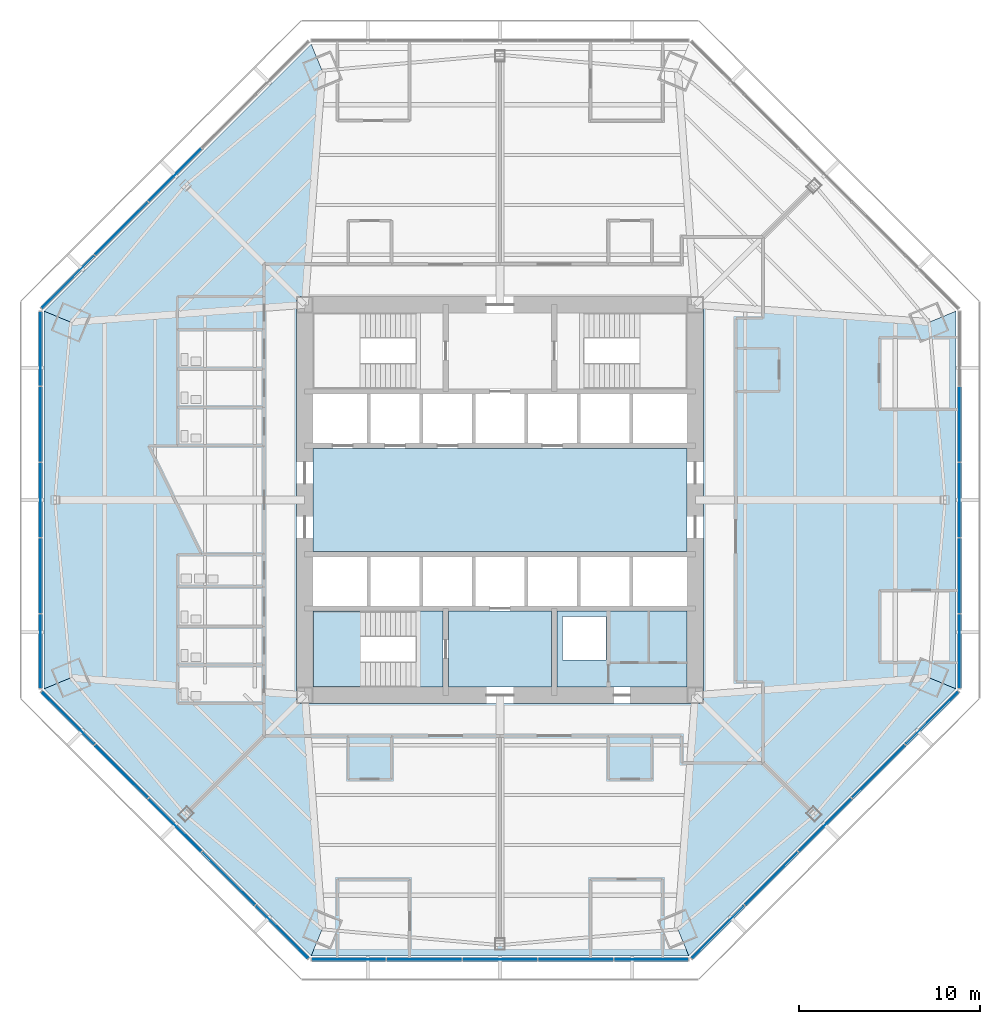
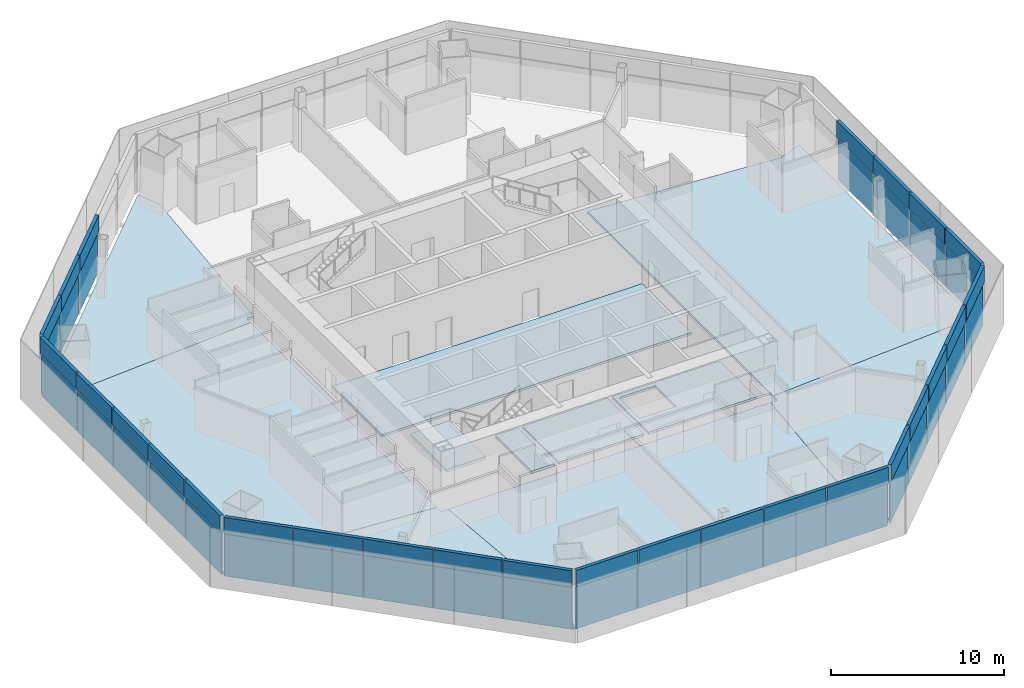
# One storey, part 8 of 17: 54 plates, 11 slabs, 7 elements without a shape of their own.
"""IFC4 building model written with IfcOpenShell, lengths in metres."""

import ifcopenshell
import ifcopenshell.guid

model = None  # the IFC model being written
_history = None  # IfcOwnerHistory: only IFC2X3 demands one
_inside = {}  # id of a spatial element -> (the spatial element, [elements in it])
_under = {}  # id of a project, library or spatial element -> (it, [spatial elements below it])
_declared = {}  # id of a project -> (the project, [libraries it declares])
_typed = {}  # id of a type object -> (the type object, [elements of that type])
_made_of = {}  # id of a material, layer set ... -> (it, [elements and type objects made of it])


def new_model(schema):
    """Start an empty IFC model of exactly this schema.

    Asked for "IFC4X3", IfcOpenShell would pick the latest addendum, in which some entities
    have other attributes; the version numbers below select the first issue.
    IFC2X3 requires an IfcOwnerHistory on every rooted entity: one is made here for all.
    """
    global model, _history
    if schema == "IFC4X3":
        model = ifcopenshell.file(schema_version=(4, 3, 0, 0))
    else:
        model = ifcopenshell.file(schema=schema)
    _inside.clear()
    _under.clear()
    _declared.clear()
    _typed.clear()
    _made_of.clear()
    _history = None
    if model.schema == "IFC2X3":
        org = make("IfcOrganization", Name="unknown")
        user = make(
            "IfcPersonAndOrganization",
            ThePerson=make("IfcPerson", FamilyName="unknown"),
            TheOrganization=org,
        )
        app = make(
            "IfcApplication",
            ApplicationDeveloper=org,
            Version="unknown",
            ApplicationFullName="unknown",
            ApplicationIdentifier="unknown",
        )
        _history = make(
            "IfcOwnerHistory",
            OwningUser=user,
            OwningApplication=app,
            ChangeAction="ADDED",
            CreationDate=0,
        )
    return model


def make(cls, **values):
    """One entity of the class cls with the attributes given. An attribute that is None is left unset."""
    return model.create_entity(
        cls, **{name: value for name, value in values.items() if value is not None}
    )


def rooted(cls, **values):
    """An entity with a GlobalId (a new one), such as an element, a storey or a relation."""
    return make(cls, GlobalId=ifcopenshell.guid.new(), OwnerHistory=_history, **values)


def si_unit(unit_type, name, prefix=None):
    """IfcSIUnit, for example si_unit("LENGTHUNIT", "METRE", prefix="MILLI")."""
    return make("IfcSIUnit", UnitType=unit_type, Prefix=prefix, Name=name)


def assignment(units):
    """IfcUnitAssignment: the units of a project."""
    return None if units is None else make("IfcUnitAssignment", Units=units)


def point(xyz):
    """IfcCartesianPoint."""
    return None if xyz is None else make("IfcCartesianPoint", Coordinates=xyz)


def direction(xyz):
    """IfcDirection."""
    return None if xyz is None else make("IfcDirection", DirectionRatios=xyz)


def frame(location, z_axis=None, x_axis=None):
    """IfcAxis2Placement3D, a coordinate frame: its origin and axes. An axis left out is left unset."""
    return make(
        "IfcAxis2Placement3D",
        Location=point(location),
        Axis=direction(z_axis),
        RefDirection=direction(x_axis),
    )


def frame_2d(location, x_axis=None):
    """IfcAxis2Placement2D, a coordinate frame in the plane: its origin and x axis."""
    return make(
        "IfcAxis2Placement2D", Location=point(location), RefDirection=direction(x_axis)
    )


def origin():
    """The frame at (0, 0, 0) with its axes left unset."""
    return frame((0.0, 0.0, 0.0))


def origin_2d():
    """The frame at (0, 0) in the plane with its x axis left unset."""
    return frame_2d((0.0, 0.0))


def place(relative_to, where):
    """IfcLocalPlacement: puts the frame where relative to a parent placement (None: the world)."""
    return make(
        "IfcLocalPlacement", PlacementRelTo=relative_to, RelativePlacement=where
    )


def context(
    kind, dimensions, precision=None, world=None, true_north=None, identifier=None
):
    """IfcGeometricRepresentationContext, for example the 3D "Model" context."""
    return make(
        "IfcGeometricRepresentationContext",
        ContextIdentifier=identifier,
        ContextType=kind,
        CoordinateSpaceDimension=dimensions,
        Precision=precision,
        WorldCoordinateSystem=world,
        TrueNorth=true_north,
    )


def subcontext(parent, identifier, kind, view, scale=None):
    """IfcGeometricRepresentationSubContext, for example "Body" below "Model"."""
    return make(
        "IfcGeometricRepresentationSubContext",
        ContextIdentifier=identifier,
        ContextType=kind,
        ParentContext=parent,
        TargetScale=scale,
        TargetView=view,
    )


def project(units=None, contexts=None):
    """IfcProject with its units and contexts."""
    return rooted(
        "IfcProject",
        Name="project",
        RepresentationContexts=contexts,
        UnitsInContext=assignment(units),
    )


def spatial(cls, under=None, at=None, **own):
    """A site, building, storey or space (cls), placed at a placement, below another one or the project."""
    s = rooted(cls, ObjectPlacement=at, **own)
    if under is not None:
        _under.setdefault(under.id(), (under, []))[1].append(s)
    return s


def polyline(points):
    """IfcPolyline through the points."""
    return make("IfcPolyline", Points=[point(p) for p in points])


def profile(cls, at=None, kind="AREA", **sizes):
    """A parametric profile (cls). Its sizes go by their IFC names, for example OverallWidth=200.0."""
    return make(cls, ProfileType=kind, Position=at, **sizes)


def rectangle(**sizes):
    """IfcRectangleProfileDef."""
    return profile("IfcRectangleProfileDef", **sizes)


def outline(outer, holes=None, kind="AREA"):
    """IfcArbitraryClosedProfileDef: a profile drawn as a closed curve; with holes, ...WithVoids."""
    if holes is None:
        return make("IfcArbitraryClosedProfileDef", ProfileType=kind, OuterCurve=outer)
    return make(
        "IfcArbitraryProfileDefWithVoids",
        ProfileType=kind,
        OuterCurve=outer,
        InnerCurves=holes,
    )


def extrude(swept, where, along, depth):
    """IfcExtrudedAreaSolid: the profile swept, set in the frame where, extruded along a direction by depth."""
    return make(
        "IfcExtrudedAreaSolid",
        SweptArea=swept,
        Position=where,
        ExtrudedDirection=direction(along),
        Depth=depth,
    )


def shape(context_of_items, identifier, shape_type, items):
    """IfcShapeRepresentation: the items that make up one representation, for example the "Body"."""
    return make(
        "IfcShapeRepresentation",
        ContextOfItems=context_of_items,
        RepresentationIdentifier=identifier,
        RepresentationType=shape_type,
        Items=items,
    )


def source(mapping_origin, context_of_items, identifier, shape_type, items):
    """IfcRepresentationMap: a shape defined once, which mapped items show again and again."""
    return make(
        "IfcRepresentationMap",
        MappingOrigin=mapping_origin,
        MappedRepresentation=shape(context_of_items, identifier, shape_type, items),
    )


def transform(
    local_origin,
    x_axis=None,
    y_axis=None,
    z_axis=None,
    scale=None,
    scale2=None,
    scale3=None,
    uniform=True,
):
    """IfcCartesianTransformationOperator3D, or its non-uniform kind. x_axis, y_axis, z_axis: its Axis1, 2, 3."""
    if uniform:
        return make(
            "IfcCartesianTransformationOperator3D",
            Axis1=direction(x_axis),
            Axis2=direction(y_axis),
            LocalOrigin=point(local_origin),
            Scale=scale,
            Axis3=direction(z_axis),
        )
    return make(
        "IfcCartesianTransformationOperator3DnonUniform",
        Axis1=direction(x_axis),
        Axis2=direction(y_axis),
        LocalOrigin=point(local_origin),
        Scale=scale,
        Axis3=direction(z_axis),
        Scale2=scale2,
        Scale3=scale3,
    )


def mapped(mapping_source, mapping_target):
    """IfcMappedItem: shows the shape of a source again, moved by a transform."""
    return make(
        "IfcMappedItem", MappingSource=mapping_source, MappingTarget=mapping_target
    )


def material(Name=None, Category=None):
    """IfcMaterial."""
    return make("IfcMaterial", Name=Name, Category=Category)


def layer(
    of_material, thickness, ventilated=None, Name=None, Category=None, Priority=None
):
    """IfcMaterialLayer: one layer of a wall or slab, of a material (None: an air gap)."""
    return make(
        "IfcMaterialLayer",
        Material=of_material,
        LayerThickness=thickness,
        IsVentilated=ventilated,
        Name=Name,
        Category=Category,
        Priority=Priority,
    )


def layer_set(layers, Name=None):
    """IfcMaterialLayerSet."""
    return make("IfcMaterialLayerSet", MaterialLayers=layers, LayerSetName=Name)


def made_of(thing, what):
    """Note that an element or type object is made of a material, layer set ...; save() writes the relation."""
    if what is not None:
        _made_of.setdefault(what.id(), (what, []))[1].append(thing)
    return thing


def type_object(cls, material=None, **own):
    """A type object (cls), such as IfcWallType, which elements share."""
    return made_of(rooted(cls, **own), material)


def type_shapes(of_type, sources):
    """Give a type object the sources (RepresentationMaps) that its elements show as mapped items."""
    of_type.RepresentationMaps = sources


def element(
    cls,
    number,
    at=None,
    inside=None,
    cuts=None,
    type_object=None,
    material=None,
    context=None,
    identifier="Body",
    shape_type=None,
    held_by="IfcProductDefinitionShape",
    body=None,
    shapes=None,
    **own,
):
    """One element of the class cls, such as IfcWall. Its Tag is "e" and its number.

    at: its placement. inside: the storey or other place that contains it. cuts: it is an
    opening in that element (IfcRelVoidsElement). A single representation is given by context,
    identifier, shape_type and body (its items); several are given by shapes. held_by: the class
    of the entity that holds the representations. save() writes the other relations.
    """
    e = rooted(cls, Tag="e%d" % number, ObjectPlacement=at, **own)
    if body is not None:
        shapes = [shape(context, identifier, shape_type, body)]
    if shapes is not None:
        e.Representation = make(held_by, Representations=shapes)
    if inside is not None:
        _inside.setdefault(inside.id(), (inside, []))[1].append(e)
    if cuts is not None:
        rooted(
            "IfcRelVoidsElement", RelatingBuildingElement=cuts, RelatedOpeningElement=e
        )
    if type_object is not None:
        _typed.setdefault(type_object.id(), (type_object, []))[1].append(e)
    return made_of(e, material)


def aggregate(whole, parts):
    """IfcRelAggregates: a whole, such as a stair, and the parts it consists of."""
    return rooted("IfcRelAggregates", RelatingObject=whole, RelatedObjects=parts)


def save(model, path):
    """Write the relations noted so far, then the file.

    IfcRelAggregates (storeys below a building ...), IfcRelContainedInSpatialStructure (elements
    in a storey), IfcRelDefinesByType, IfcRelAssociatesMaterial and IfcRelDeclares: one each for
    every whole, place, type object, material and project.
    """
    for whole, parts in _under.values():
        aggregate(whole, parts)
    for where, things in _inside.values():
        rooted(
            "IfcRelContainedInSpatialStructure",
            RelatedElements=things,
            RelatingStructure=where,
        )
    for kind, things in _typed.values():
        rooted("IfcRelDefinesByType", RelatedObjects=things, RelatingType=kind)
    for what, things in _made_of.values():
        rooted("IfcRelAssociatesMaterial", RelatedObjects=things, RelatingMaterial=what)
    for by, libraries in _declared.values():
        rooted("IfcRelDeclares", RelatingContext=by, RelatedDefinitions=libraries)
    model.write(path)


model = new_model("IFC4")

# Units and contexts
model_context = context("Model", 3, precision=1e-05, world=origin(), true_north=direction((0.0, 1.0)))
body_context = subcontext(model_context, "Body", "Model", "MODEL_VIEW")
ifc_project = project(units=[si_unit("LENGTHUNIT", "METRE"), si_unit("AREAUNIT", "SQUARE_METRE"), si_unit("VOLUMEUNIT", "CUBIC_METRE"), si_unit("PLANEANGLEUNIT", "RADIAN"), si_unit("MASSUNIT", "GRAM", prefix="KILO")], contexts=[model_context])

# Site, building, storey
site_placement = place(None, origin())
site = spatial("IfcSite", under=ifc_project, at=site_placement, CompositionType="ELEMENT")
building_placement = place(site_placement, origin())
building = spatial("IfcBuilding", under=site, at=building_placement, Name="Mashrafa Tower", CompositionType="ELEMENT")
storey_placement = place(building_placement, frame((0.0, 0.0, 91.800048828125)))
storey = spatial("IfcBuildingStorey", under=building, at=storey_placement, Name="L20", CompositionType="ELEMENT", Elevation=91.800048828125)

# Slabs
ifc_material_1 = material(Name="Concrete C35/45", Category="concrete")
ifc_layer_1 = layer(ifc_material_1, 0.1650390625)
ifc_layer_set_1 = layer_set([ifc_layer_1], Name="Floor slab 165")
slab_type_1 = type_object("IfcSlabType", Name="Floor slab 165", PredefinedType="FLOOR", material=ifc_layer_set_1)
slab_1_placement = place(storey_placement, frame((0.0, 0.0, -0.1650390625)))
element("IfcSlab", 1, at=slab_1_placement, inside=storey, type_object=slab_type_1, Name="Floor slab L20 east bay", PredefinedType="FLOOR", context=body_context, shape_type="SweptSolid", body=[
    extrude(outline(polyline([(25.2177734375, -10.445556640625), (23.744384765625, -9.835205078125), (11.25, -10.766357421875), (11.25, 10.766357421875), (23.744384765625, 9.835205078125), (25.2177734375, 10.445556640625), (25.2177734375, -10.445556640625)])), origin(), (0.0, 0.0, 1.0), 0.1650390625),
])
slab_2_placement = place(storey_placement, frame((0.0, 0.0, -0.1650390625)))
element("IfcSlab", 2, at=slab_2_placement, inside=storey, type_object=slab_type_1, Name="Floor slab L20 north-west bay", PredefinedType="FLOOR", context=body_context, shape_type="SweptSolid", body=[
    extrude(outline(polyline([(-25.2177734375, 10.445556640625), (-10.445556640625, 25.2177734375), (-10.445556640625, 25.2177734375), (-9.835205078125, 23.744384765625), (-10.766357421875, 11.25), (-11.25, 11.25), (-11.25, 10.766357421875), (-23.744384765625, 9.835205078125), (-25.2177734375, 10.445556640625), (-25.2177734375, 10.445556640625)])), origin(), (0.0, 0.0, 1.0), 0.1650390625),
])
slab_3_placement = place(storey_placement, frame((0.0, 0.0, -0.1650390625)))
element("IfcSlab", 3, at=slab_3_placement, inside=storey, type_object=slab_type_1, Name="Floor slab L20 west bay", PredefinedType="FLOOR", context=body_context, shape_type="SweptSolid", body=[
    extrude(outline(polyline([(-25.2177734375, 10.445556640625), (-23.744384765625, 9.835205078125), (-11.25, 10.766357421875), (-11.25, -10.766357421875), (-23.744384765625, -9.835205078125), (-25.2177734375, -10.445556640625), (-25.2177734375, 10.445556640625)])), origin(), (0.0, 0.0, 1.0), 0.1650390625),
])
slab_4_placement = place(storey_placement, frame((0.0, 0.0, -0.1650390625)))
element("IfcSlab", 4, at=slab_4_placement, inside=storey, type_object=slab_type_1, Name="Floor slab L20 south-west bay", PredefinedType="FLOOR", context=body_context, shape_type="SweptSolid", body=[
    extrude(outline(polyline([(-10.445556640625, -25.2177734375), (-25.2177734375, -10.445556640625), (-25.2177734375, -10.445556640625), (-23.744384765625, -9.835205078125), (-11.25, -10.766357421875), (-11.25, -11.25), (-10.766357421875, -11.25), (-9.835205078125, -23.744384765625), (-10.445556640625, -25.2177734375), (-10.445556640625, -25.2177734375)])), origin(), (0.0, 0.0, 1.0), 0.1650390625),
])
slab_5_placement = place(storey_placement, frame((0.0, 0.0, -0.1650390625)))
element("IfcSlab", 5, at=slab_5_placement, inside=storey, type_object=slab_type_1, Name="Floor slab L20 south bay", PredefinedType="FLOOR", context=body_context, shape_type="SweptSolid", body=[
    extrude(outline(polyline([(-10.445556640625, -25.2177734375), (-9.835205078125, -23.744384765625), (-10.766357421875, -11.25), (10.766357421875, -11.25), (9.835205078125, -23.744384765625), (10.445556640625, -25.2177734375), (-10.445556640625, -25.2177734375)])), origin(), (0.0, 0.0, 1.0), 0.1650390625),
])
slab_6_placement = place(storey_placement, frame((0.0, 0.0, -0.1650390625)))
element("IfcSlab", 6, at=slab_6_placement, inside=storey, type_object=slab_type_1, Name="Floor slab L20 south-east bay", PredefinedType="FLOOR", context=body_context, shape_type="SweptSolid", body=[
    extrude(outline(polyline([(10.445556640625, -25.2177734375), (9.835205078125, -23.744384765625), (10.766357421875, -11.25), (11.25, -11.25), (11.25, -10.766357421875), (23.744384765625, -9.835205078125), (25.2177734375, -10.445556640625), (25.2177734375, -10.445556640625), (10.445556640625, -25.2177734375), (10.445556640625, -25.2177734375)])), origin(), (0.0, 0.0, 1.0), 0.1650390625),
])
slab_7_placement = place(storey_placement, frame((0.0, 0.0, -0.1650390625)))
element("IfcSlab", 7, at=slab_7_placement, inside=storey, type_object=slab_type_1, Name="Core floor lift hall L20", PredefinedType="FLOOR", context=body_context, shape_type="SweptSolid", body=[
    extrude(outline(polyline([(-10.35009765625, 2.85009765625), (10.35009765625, 2.85009765625), (10.35009765625, -2.85009765625), (-10.35009765625, -2.85009765625), (-10.35009765625, 2.85009765625)])), origin(), (0.0, 0.0, 1.0), 0.1650390625),
])
slab_8_placement = place(storey_placement, frame((0.0, 0.0, -0.1650390625)))
element("IfcSlab", 8, at=slab_8_placement, inside=storey, type_object=slab_type_1, Name="Core floor riser and electrical band L20", PredefinedType="FLOOR", context=body_context, shape_type="SweptSolid", body=[
    extrude(outline(polyline([(10.35009765625, -6.14990234375), (10.35009765625, -10.35009765625), (3.14990234375, -10.35009765625), (3.14990234375, -6.14990234375), (10.35009765625, -6.14990234375)]), holes=[polyline([(3.449951171875, -8.85009765625), (5.85009765625, -8.85009765625), (5.85009765625, -6.449951171875), (3.449951171875, -6.449951171875), (3.449951171875, -8.85009765625)])]), origin(), (0.0, 0.0, 1.0), 0.1650390625),
])
slab_9_placement = place(storey_placement, frame((0.0, 0.0, -0.1650390625)))
element("IfcSlab", 9, at=slab_9_placement, inside=storey, type_object=slab_type_1, Name="Core floor fire-fighting lobby south L20", PredefinedType="FLOOR", context=body_context, shape_type="SweptSolid", body=[
    extrude(outline(polyline([(2.85009765625, -6.14990234375), (2.85009765625, -10.35009765625), (-2.85009765625, -10.35009765625), (-2.85009765625, -6.14990234375), (2.85009765625, -6.14990234375)])), origin(), (0.0, 0.0, 1.0), 0.1650390625),
])

# Stair, slabs
ifc_material_2 = material(Name="Exit stair 1400")
stair_type = type_object("IfcStairType", Name="Exit stair 1400", PredefinedType="HALF_TURN_STAIR", material=ifc_material_2)
stair_placement = place(storey_placement, origin())
stair = element("IfcStair", 10, at=stair_placement, inside=storey, type_object=stair_type, Name="Stair S3 L20", PredefinedType="HALF_TURN_STAIR")
ifc_material_3 = material(Name="Concrete C32/40", Category="concrete")
ifc_layer_2 = layer(ifc_material_3, 0.199951171875)
ifc_layer_set_2 = layer_set([ifc_layer_2], Name="Stair landing 200")
slab_type_2 = type_object("IfcSlabType", Name="Stair landing 200", PredefinedType="LANDING", material=ifc_layer_set_2)
slab_10_placement = place(storey_placement, frame((0.0, 0.0, -0.199951171875)))
slab_10 = element("IfcSlab", 11, at=slab_10_placement, type_object=slab_type_2, Name="S3 landing 1", PredefinedType="LANDING", context=body_context, shape_type="SweptSolid", body=[
    extrude(outline(polyline([(-4.659912109375, -10.35009765625), (-3.14990234375, -10.35009765625), (-3.14990234375, -6.14990234375), (-4.659912109375, -6.14990234375), (-4.659912109375, -10.35009765625)])), origin(), (0.0, 0.0, 1.0), 0.199951171875),
])
slab_11_placement = place(storey_placement, frame((0.0, 0.0, 1.89990234375)))
slab_11 = element("IfcSlab", 12, at=slab_11_placement, type_object=slab_type_2, Name="S3 landing 2", PredefinedType="LANDING", context=body_context, shape_type="SweptSolid", body=[
    extrude(outline(polyline([(-10.35009765625, -10.35009765625), (-7.719970703125, -10.35009765625), (-7.719970703125, -6.14990234375), (-10.35009765625, -6.14990234375), (-10.35009765625, -10.35009765625)])), origin(), (0.0, 0.0, 1.0), 0.199951171875),
])
aggregate(stair, [slab_10, slab_11])

# Curtain wall, plate
ifc_material_4 = material(Name="Unitised aluminium curtain wall", Category="aluminium")
curtain_wall_type = type_object("IfcCurtainWallType", Name="Office curtain wall, zone 1 CW-A 200 deep", PredefinedType="NOTDEFINED", material=ifc_material_4)
curtain_wall_1_placement = place(storey_placement, origin())
curtain_wall_1 = element("IfcCurtainWall", 13, at=curtain_wall_1_placement, inside=storey, type_object=curtain_wall_type, Name="Office curtain wall, zone 1 L20 east", PredefinedType="NOTDEFINED")
ifc_material_5 = material(Name="Insulated double glazing, low-e, neutral", Category="glass")
ifc_layer_3 = layer(ifc_material_5, 0.028076171875)
ifc_layer_set_3 = layer_set([ifc_layer_3], Name="Vision panel CW-A 28")
plate_type_1 = type_object("IfcPlateType", Name="Vision panel CW-A 28", PredefinedType="CURTAIN_PANEL", material=ifc_layer_set_3)
shared_shape_1 = source(origin(), body_context, "Body", "SweptSolid", [
    extrude(rectangle(XDim=4.09326171875, YDim=0.028076171875, at=origin_2d()), origin(), (0.0, 0.0, 1.0), 2.9599609375),
])
plate_1_placement = place(storey_placement, frame((25.417724609375, -8.365234375, 0.0), z_axis=(0.0, 0.0, 1.0), x_axis=(0.0, 1.0, 0.0)))
plate_1 = element("IfcPlate", 14, at=plate_1_placement, type_object=plate_type_1, Name="CW-A vision panel 1", PredefinedType="CURTAIN_PANEL", context=body_context, shape_type="MappedRepresentation", body=[
    mapped(shared_shape_1, transform((0.0, 0.0, 0.0))),
])

curtain_wall_2_placement = place(storey_placement, origin())
curtain_wall_2 = element("IfcCurtainWall", 15, at=curtain_wall_2_placement, inside=storey, type_object=curtain_wall_type, Name="Office curtain wall, zone 1 L20 north-west", PredefinedType="NOTDEFINED")
plate_2_placement = place(storey_placement, frame((-23.88818359375, 12.057861328125, 0.0), z_axis=(0.0, 0.0, 1.0), x_axis=(-0.707106781187, -0.707106781187, 0.0)))
plate_2 = element("IfcPlate", 16, at=plate_2_placement, type_object=plate_type_1, Name="CW-A vision panel 5", PredefinedType="CURTAIN_PANEL", context=body_context, shape_type="MappedRepresentation", body=[
    mapped(shared_shape_1, transform((0.0, 0.0, 0.0))),
])

# Curtain wall, plates
curtain_wall_3_placement = place(storey_placement, origin())
curtain_wall_3 = element("IfcCurtainWall", 17, at=curtain_wall_3_placement, inside=storey, type_object=curtain_wall_type, Name="Office curtain wall, zone 1 L20 west", PredefinedType="NOTDEFINED")
plate_3_placement = place(storey_placement, frame((-25.417724609375, 8.365234375, 0.0), z_axis=(0.0, 0.0, 1.0), x_axis=(0.0, -1.0, 0.0)))
plate_3 = element("IfcPlate", 18, at=plate_3_placement, type_object=plate_type_1, Name="CW-A vision panel 1", PredefinedType="CURTAIN_PANEL", context=body_context, shape_type="MappedRepresentation", body=[
    mapped(shared_shape_1, transform((0.0, 0.0, 0.0))),
])
plate_4_placement = place(storey_placement, frame((-25.417724609375, -8.365234375, 0.0), z_axis=(0.0, 0.0, 1.0), x_axis=(0.0, -1.0, 0.0)))
plate_4 = element("IfcPlate", 19, at=plate_4_placement, type_object=plate_type_1, Name="CW-A vision panel 5", PredefinedType="CURTAIN_PANEL", context=body_context, shape_type="MappedRepresentation", body=[
    mapped(shared_shape_1, transform((0.0, 0.0, 0.0))),
])

curtain_wall_4_placement = place(storey_placement, origin())
curtain_wall_4 = element("IfcCurtainWall", 20, at=curtain_wall_4_placement, inside=storey, type_object=curtain_wall_type, Name="Office curtain wall, zone 1 L20 south-west", PredefinedType="NOTDEFINED")
plate_5_placement = place(storey_placement, frame((-23.88818359375, -12.057861328125, 0.0), z_axis=(0.0, 0.0, 1.0), x_axis=(0.707106781187, -0.707106781187, 0.0)))
plate_5 = element("IfcPlate", 21, at=plate_5_placement, type_object=plate_type_1, Name="CW-A vision panel 1", PredefinedType="CURTAIN_PANEL", context=body_context, shape_type="MappedRepresentation", body=[
    mapped(shared_shape_1, transform((0.0, 0.0, 0.0))),
])
plate_6_placement = place(storey_placement, frame((-12.057861328125, -23.88818359375, 0.0), z_axis=(0.0, 0.0, 1.0), x_axis=(0.707106781187, -0.707106781187, 0.0)))
plate_6 = element("IfcPlate", 22, at=plate_6_placement, type_object=plate_type_1, Name="CW-A vision panel 5", PredefinedType="CURTAIN_PANEL", context=body_context, shape_type="MappedRepresentation", body=[
    mapped(shared_shape_1, transform((0.0, 0.0, 0.0))),
])

curtain_wall_5_placement = place(storey_placement, origin())
curtain_wall_5 = element("IfcCurtainWall", 23, at=curtain_wall_5_placement, inside=storey, type_object=curtain_wall_type, Name="Office curtain wall, zone 1 L20 south", PredefinedType="NOTDEFINED")
plate_7_placement = place(storey_placement, frame((-8.365234375, -25.417724609375, 0.0), z_axis=(0.0, 0.0, 1.0), x_axis=(1.0, 0.0, 0.0)))
plate_7 = element("IfcPlate", 24, at=plate_7_placement, type_object=plate_type_1, Name="CW-A vision panel 1", PredefinedType="CURTAIN_PANEL", context=body_context, shape_type="MappedRepresentation", body=[
    mapped(shared_shape_1, transform((0.0, 0.0, 0.0))),
])
plate_8_placement = place(storey_placement, frame((8.365234375, -25.417724609375, 0.0), z_axis=(0.0, 0.0, 1.0), x_axis=(1.0, 0.0, 0.0)))
plate_8 = element("IfcPlate", 25, at=plate_8_placement, type_object=plate_type_1, Name="CW-A vision panel 5", PredefinedType="CURTAIN_PANEL", context=body_context, shape_type="MappedRepresentation", body=[
    mapped(shared_shape_1, transform((0.0, 0.0, 0.0))),
])

curtain_wall_6_placement = place(storey_placement, origin())
curtain_wall_6 = element("IfcCurtainWall", 26, at=curtain_wall_6_placement, inside=storey, type_object=curtain_wall_type, Name="Office curtain wall, zone 1 L20 south-east", PredefinedType="NOTDEFINED")
plate_9_placement = place(storey_placement, frame((12.057861328125, -23.88818359375, 0.0), z_axis=(0.0, 0.0, 1.0), x_axis=(0.707106781187, 0.707106781187, 0.0)))
plate_9 = element("IfcPlate", 27, at=plate_9_placement, type_object=plate_type_1, Name="CW-A vision panel 1", PredefinedType="CURTAIN_PANEL", context=body_context, shape_type="MappedRepresentation", body=[
    mapped(shared_shape_1, transform((0.0, 0.0, 0.0))),
])
plate_10_placement = place(storey_placement, frame((23.88818359375, -12.057861328125, 0.0), z_axis=(0.0, 0.0, 1.0), x_axis=(0.707106781187, 0.707106781187, 0.0)))
plate_10 = element("IfcPlate", 28, at=plate_10_placement, type_object=plate_type_1, Name="CW-A vision panel 5", PredefinedType="CURTAIN_PANEL", context=body_context, shape_type="MappedRepresentation", body=[
    mapped(shared_shape_1, transform((0.0, 0.0, 0.0))),
])

# Plate
ifc_material_6 = material(Name="Insulated aluminium spandrel panel", Category="aluminium")
ifc_layer_4 = layer(ifc_material_6, 0.219970703125)
ifc_layer_set_4 = layer_set([ifc_layer_4], Name="Spandrel panel CW-A 220")
plate_type_2 = type_object("IfcPlateType", Name="Spandrel panel CW-A 220", PredefinedType="CURTAIN_PANEL", material=ifc_layer_set_4)
shared_shape_2 = source(origin(), body_context, "Body", "SweptSolid", [
    extrude(rectangle(XDim=4.09326171875, YDim=0.219970703125, at=origin_2d()), origin(), (0.0, 0.0, 1.0), 1.159912109375),
])
plate_11_placement = place(storey_placement, frame((25.417724609375, -8.365234375, 3.0400390625), z_axis=(0.0, 0.0, 1.0), x_axis=(0.0, 1.0, 0.0)))
plate_11 = element("IfcPlate", 29, at=plate_11_placement, type_object=plate_type_2, Name="CW-A spandrel panel 1", PredefinedType="CURTAIN_PANEL", context=body_context, shape_type="MappedRepresentation", body=[
    mapped(shared_shape_2, transform((0.0, 0.0, 0.0))),
])

plate_12_placement = place(storey_placement, frame((-23.88818359375, 12.057861328125, 3.0400390625), z_axis=(0.0, 0.0, 1.0), x_axis=(-0.707106781187, -0.707106781187, 0.0)))
plate_12 = element("IfcPlate", 30, at=plate_12_placement, type_object=plate_type_2, Name="CW-A spandrel panel 5", PredefinedType="CURTAIN_PANEL", context=body_context, shape_type="MappedRepresentation", body=[
    mapped(shared_shape_2, transform((0.0, 0.0, 0.0))),
])

plate_13_placement = place(storey_placement, frame((-25.417724609375, 8.365234375, 3.0400390625), z_axis=(0.0, 0.0, 1.0), x_axis=(0.0, -1.0, 0.0)))
plate_13 = element("IfcPlate", 31, at=plate_13_placement, type_object=plate_type_2, Name="CW-A spandrel panel 1", PredefinedType="CURTAIN_PANEL", context=body_context, shape_type="MappedRepresentation", body=[
    mapped(shared_shape_2, transform((0.0, 0.0, 0.0))),
])

plate_14_placement = place(storey_placement, frame((-25.417724609375, -8.365234375, 3.0400390625), z_axis=(0.0, 0.0, 1.0), x_axis=(0.0, -1.0, 0.0)))
plate_14 = element("IfcPlate", 32, at=plate_14_placement, type_object=plate_type_2, Name="CW-A spandrel panel 5", PredefinedType="CURTAIN_PANEL", context=body_context, shape_type="MappedRepresentation", body=[
    mapped(shared_shape_2, transform((0.0, 0.0, 0.0))),
])

plate_15_placement = place(storey_placement, frame((-23.88818359375, -12.057861328125, 3.0400390625), z_axis=(0.0, 0.0, 1.0), x_axis=(0.707106781187, -0.707106781187, 0.0)))
plate_15 = element("IfcPlate", 33, at=plate_15_placement, type_object=plate_type_2, Name="CW-A spandrel panel 1", PredefinedType="CURTAIN_PANEL", context=body_context, shape_type="MappedRepresentation", body=[
    mapped(shared_shape_2, transform((0.0, 0.0, 0.0))),
])

plate_16_placement = place(storey_placement, frame((-12.057861328125, -23.88818359375, 3.0400390625), z_axis=(0.0, 0.0, 1.0), x_axis=(0.707106781187, -0.707106781187, 0.0)))
plate_16 = element("IfcPlate", 34, at=plate_16_placement, type_object=plate_type_2, Name="CW-A spandrel panel 5", PredefinedType="CURTAIN_PANEL", context=body_context, shape_type="MappedRepresentation", body=[
    mapped(shared_shape_2, transform((0.0, 0.0, 0.0))),
])

plate_17_placement = place(storey_placement, frame((-8.365234375, -25.417724609375, 3.0400390625), z_axis=(0.0, 0.0, 1.0), x_axis=(1.0, 0.0, 0.0)))
plate_17 = element("IfcPlate", 35, at=plate_17_placement, type_object=plate_type_2, Name="CW-A spandrel panel 1", PredefinedType="CURTAIN_PANEL", context=body_context, shape_type="MappedRepresentation", body=[
    mapped(shared_shape_2, transform((0.0, 0.0, 0.0))),
])

plate_18_placement = place(storey_placement, frame((8.365234375, -25.417724609375, 3.0400390625), z_axis=(0.0, 0.0, 1.0), x_axis=(1.0, 0.0, 0.0)))
plate_18 = element("IfcPlate", 36, at=plate_18_placement, type_object=plate_type_2, Name="CW-A spandrel panel 5", PredefinedType="CURTAIN_PANEL", context=body_context, shape_type="MappedRepresentation", body=[
    mapped(shared_shape_2, transform((0.0, 0.0, 0.0))),
])

plate_19_placement = place(storey_placement, frame((12.057861328125, -23.88818359375, 3.0400390625), z_axis=(0.0, 0.0, 1.0), x_axis=(0.707106781187, 0.707106781187, 0.0)))
plate_19 = element("IfcPlate", 37, at=plate_19_placement, type_object=plate_type_2, Name="CW-A spandrel panel 1", PredefinedType="CURTAIN_PANEL", context=body_context, shape_type="MappedRepresentation", body=[
    mapped(shared_shape_2, transform((0.0, 0.0, 0.0))),
])

plate_20_placement = place(storey_placement, frame((23.88818359375, -12.057861328125, 3.0400390625), z_axis=(0.0, 0.0, 1.0), x_axis=(0.707106781187, 0.707106781187, 0.0)))
plate_20 = element("IfcPlate", 38, at=plate_20_placement, type_object=plate_type_2, Name="CW-A spandrel panel 5", PredefinedType="CURTAIN_PANEL", context=body_context, shape_type="MappedRepresentation", body=[
    mapped(shared_shape_2, transform((0.0, 0.0, 0.0))),
])

shared_shape_3 = source(origin(), body_context, "Body", "SweptSolid", [
    extrude(rectangle(XDim=4.125732421875, YDim=0.028076171875, at=origin_2d()), origin(), (0.0, 0.0, 1.0), 2.9599609375),
])
type_shapes(plate_type_1, [shared_shape_1, shared_shape_3])
plate_21_placement = place(storey_placement, frame((25.417724609375, -4.190673828125, 0.0), z_axis=(0.0, 0.0, 1.0), x_axis=(0.0, 1.0, 0.0)))
plate_21 = element("IfcPlate", 39, at=plate_21_placement, type_object=plate_type_1, Name="CW-A vision panel 2", PredefinedType="CURTAIN_PANEL", context=body_context, shape_type="MappedRepresentation", body=[
    mapped(shared_shape_3, transform((0.0, 0.0, 0.0))),
])

plate_22_placement = place(storey_placement, frame((25.417724609375, 0.0, 0.0), z_axis=(0.0, 0.0, 1.0), x_axis=(0.0, 1.0, 0.0)))
plate_22 = element("IfcPlate", 40, at=plate_22_placement, type_object=plate_type_1, Name="CW-A vision panel 3", PredefinedType="CURTAIN_PANEL", context=body_context, shape_type="MappedRepresentation", body=[
    mapped(shared_shape_3, transform((0.0, 0.0, 0.0))),
])

plate_23_placement = place(storey_placement, frame((25.417724609375, 4.190673828125, 0.0), z_axis=(0.0, 0.0, 1.0), x_axis=(0.0, 1.0, 0.0)))
plate_23 = element("IfcPlate", 41, at=plate_23_placement, type_object=plate_type_1, Name="CW-A vision panel 4", PredefinedType="CURTAIN_PANEL", context=body_context, shape_type="MappedRepresentation", body=[
    mapped(shared_shape_3, transform((0.0, 0.0, 0.0))),
])

plate_24_placement = place(storey_placement, frame((-17.97314453125, 17.97314453125, 0.0), z_axis=(0.0, 0.0, 1.0), x_axis=(-0.707106781187, -0.707106781187, 0.0)))
plate_24 = element("IfcPlate", 42, at=plate_24_placement, type_object=plate_type_1, Name="CW-A vision panel 3", PredefinedType="CURTAIN_PANEL", context=body_context, shape_type="MappedRepresentation", body=[
    mapped(shared_shape_3, transform((0.0, 0.0, 0.0))),
])

plate_25_placement = place(storey_placement, frame((-20.9365234375, 15.009765625, 0.0), z_axis=(0.0, 0.0, 1.0), x_axis=(-0.707106781187, -0.707106781187, 0.0)))
plate_25 = element("IfcPlate", 43, at=plate_25_placement, type_object=plate_type_1, Name="CW-A vision panel 4", PredefinedType="CURTAIN_PANEL", context=body_context, shape_type="MappedRepresentation", body=[
    mapped(shared_shape_3, transform((0.0, 0.0, 0.0))),
])

plate_26_placement = place(storey_placement, frame((-25.417724609375, 4.190673828125, 0.0), z_axis=(0.0, 0.0, 1.0), x_axis=(0.0, -1.0, 0.0)))
plate_26 = element("IfcPlate", 44, at=plate_26_placement, type_object=plate_type_1, Name="CW-A vision panel 2", PredefinedType="CURTAIN_PANEL", context=body_context, shape_type="MappedRepresentation", body=[
    mapped(shared_shape_3, transform((0.0, 0.0, 0.0))),
])

plate_27_placement = place(storey_placement, frame((-25.417724609375, 0.0, 0.0), z_axis=(0.0, 0.0, 1.0), x_axis=(0.0, -1.0, 0.0)))
plate_27 = element("IfcPlate", 45, at=plate_27_placement, type_object=plate_type_1, Name="CW-A vision panel 3", PredefinedType="CURTAIN_PANEL", context=body_context, shape_type="MappedRepresentation", body=[
    mapped(shared_shape_3, transform((0.0, 0.0, 0.0))),
])

plate_28_placement = place(storey_placement, frame((-25.417724609375, -4.190673828125, 0.0), z_axis=(0.0, 0.0, 1.0), x_axis=(0.0, -1.0, 0.0)))
plate_28 = element("IfcPlate", 46, at=plate_28_placement, type_object=plate_type_1, Name="CW-A vision panel 4", PredefinedType="CURTAIN_PANEL", context=body_context, shape_type="MappedRepresentation", body=[
    mapped(shared_shape_3, transform((0.0, 0.0, 0.0))),
])

plate_29_placement = place(storey_placement, frame((-20.9365234375, -15.009765625, 0.0), z_axis=(0.0, 0.0, 1.0), x_axis=(0.707106781187, -0.707106781187, 0.0)))
plate_29 = element("IfcPlate", 47, at=plate_29_placement, type_object=plate_type_1, Name="CW-A vision panel 2", PredefinedType="CURTAIN_PANEL", context=body_context, shape_type="MappedRepresentation", body=[
    mapped(shared_shape_3, transform((0.0, 0.0, 0.0))),
])

plate_30_placement = place(storey_placement, frame((-17.97314453125, -17.97314453125, 0.0), z_axis=(0.0, 0.0, 1.0), x_axis=(0.707106781187, -0.707106781187, 0.0)))
plate_30 = element("IfcPlate", 48, at=plate_30_placement, type_object=plate_type_1, Name="CW-A vision panel 3", PredefinedType="CURTAIN_PANEL", context=body_context, shape_type="MappedRepresentation", body=[
    mapped(shared_shape_3, transform((0.0, 0.0, 0.0))),
])

plate_31_placement = place(storey_placement, frame((-15.009765625, -20.9365234375, 0.0), z_axis=(0.0, 0.0, 1.0), x_axis=(0.707106781187, -0.707106781187, 0.0)))
plate_31 = element("IfcPlate", 49, at=plate_31_placement, type_object=plate_type_1, Name="CW-A vision panel 4", PredefinedType="CURTAIN_PANEL", context=body_context, shape_type="MappedRepresentation", body=[
    mapped(shared_shape_3, transform((0.0, 0.0, 0.0))),
])

plate_32_placement = place(storey_placement, frame((-4.190673828125, -25.417724609375, 0.0), z_axis=(0.0, 0.0, 1.0), x_axis=(1.0, 0.0, 0.0)))
plate_32 = element("IfcPlate", 50, at=plate_32_placement, type_object=plate_type_1, Name="CW-A vision panel 2", PredefinedType="CURTAIN_PANEL", context=body_context, shape_type="MappedRepresentation", body=[
    mapped(shared_shape_3, transform((0.0, 0.0, 0.0))),
])

plate_33_placement = place(storey_placement, frame((0.0, -25.417724609375, 0.0), z_axis=(0.0, 0.0, 1.0), x_axis=(1.0, 0.0, 0.0)))
plate_33 = element("IfcPlate", 51, at=plate_33_placement, type_object=plate_type_1, Name="CW-A vision panel 3", PredefinedType="CURTAIN_PANEL", context=body_context, shape_type="MappedRepresentation", body=[
    mapped(shared_shape_3, transform((0.0, 0.0, 0.0))),
])

plate_34_placement = place(storey_placement, frame((4.190673828125, -25.417724609375, 0.0), z_axis=(0.0, 0.0, 1.0), x_axis=(1.0, 0.0, 0.0)))
plate_34 = element("IfcPlate", 52, at=plate_34_placement, type_object=plate_type_1, Name="CW-A vision panel 4", PredefinedType="CURTAIN_PANEL", context=body_context, shape_type="MappedRepresentation", body=[
    mapped(shared_shape_3, transform((0.0, 0.0, 0.0))),
])

plate_35_placement = place(storey_placement, frame((15.009765625, -20.9365234375, 0.0), z_axis=(0.0, 0.0, 1.0), x_axis=(0.707106781187, 0.707106781187, 0.0)))
plate_35 = element("IfcPlate", 53, at=plate_35_placement, type_object=plate_type_1, Name="CW-A vision panel 2", PredefinedType="CURTAIN_PANEL", context=body_context, shape_type="MappedRepresentation", body=[
    mapped(shared_shape_3, transform((0.0, 0.0, 0.0))),
])

plate_36_placement = place(storey_placement, frame((17.97314453125, -17.97314453125, 0.0), z_axis=(0.0, 0.0, 1.0), x_axis=(0.707106781187, 0.707106781187, 0.0)))
plate_36 = element("IfcPlate", 54, at=plate_36_placement, type_object=plate_type_1, Name="CW-A vision panel 3", PredefinedType="CURTAIN_PANEL", context=body_context, shape_type="MappedRepresentation", body=[
    mapped(shared_shape_3, transform((0.0, 0.0, 0.0))),
])

plate_37_placement = place(storey_placement, frame((20.9365234375, -15.009765625, 0.0), z_axis=(0.0, 0.0, 1.0), x_axis=(0.707106781187, 0.707106781187, 0.0)))
plate_37 = element("IfcPlate", 55, at=plate_37_placement, type_object=plate_type_1, Name="CW-A vision panel 4", PredefinedType="CURTAIN_PANEL", context=body_context, shape_type="MappedRepresentation", body=[
    mapped(shared_shape_3, transform((0.0, 0.0, 0.0))),
])

shared_shape_4 = source(origin(), body_context, "Body", "SweptSolid", [
    extrude(rectangle(XDim=4.125732421875, YDim=0.219970703125, at=origin_2d()), origin(), (0.0, 0.0, 1.0), 1.159912109375),
])
type_shapes(plate_type_2, [shared_shape_2, shared_shape_4])
plate_38_placement = place(storey_placement, frame((25.417724609375, -4.190673828125, 3.0400390625), z_axis=(0.0, 0.0, 1.0), x_axis=(0.0, 1.0, 0.0)))
plate_38 = element("IfcPlate", 56, at=plate_38_placement, type_object=plate_type_2, Name="CW-A spandrel panel 2", PredefinedType="CURTAIN_PANEL", context=body_context, shape_type="MappedRepresentation", body=[
    mapped(shared_shape_4, transform((0.0, 0.0, 0.0))),
])

plate_39_placement = place(storey_placement, frame((25.417724609375, 0.0, 3.0400390625), z_axis=(0.0, 0.0, 1.0), x_axis=(0.0, 1.0, 0.0)))
plate_39 = element("IfcPlate", 57, at=plate_39_placement, type_object=plate_type_2, Name="CW-A spandrel panel 3", PredefinedType="CURTAIN_PANEL", context=body_context, shape_type="MappedRepresentation", body=[
    mapped(shared_shape_4, transform((0.0, 0.0, 0.0))),
])

plate_40_placement = place(storey_placement, frame((25.417724609375, 4.190673828125, 3.0400390625), z_axis=(0.0, 0.0, 1.0), x_axis=(0.0, 1.0, 0.0)))
plate_40 = element("IfcPlate", 58, at=plate_40_placement, type_object=plate_type_2, Name="CW-A spandrel panel 4", PredefinedType="CURTAIN_PANEL", context=body_context, shape_type="MappedRepresentation", body=[
    mapped(shared_shape_4, transform((0.0, 0.0, 0.0))),
])

aggregate(curtain_wall_1, [plate_1, plate_11, plate_21, plate_38, plate_22, plate_39, plate_23, plate_40])

plate_41_placement = place(storey_placement, frame((-17.97314453125, 17.97314453125, 3.0400390625), z_axis=(0.0, 0.0, 1.0), x_axis=(-0.707106781187, -0.707106781187, 0.0)))
plate_41 = element("IfcPlate", 59, at=plate_41_placement, type_object=plate_type_2, Name="CW-A spandrel panel 3", PredefinedType="CURTAIN_PANEL", context=body_context, shape_type="MappedRepresentation", body=[
    mapped(shared_shape_4, transform((0.0, 0.0, 0.0))),
])

plate_42_placement = place(storey_placement, frame((-20.9365234375, 15.009765625, 3.0400390625), z_axis=(0.0, 0.0, 1.0), x_axis=(-0.707106781187, -0.707106781187, 0.0)))
plate_42 = element("IfcPlate", 60, at=plate_42_placement, type_object=plate_type_2, Name="CW-A spandrel panel 4", PredefinedType="CURTAIN_PANEL", context=body_context, shape_type="MappedRepresentation", body=[
    mapped(shared_shape_4, transform((0.0, 0.0, 0.0))),
])

aggregate(curtain_wall_2, [plate_24, plate_41, plate_25, plate_42, plate_2, plate_12])

plate_43_placement = place(storey_placement, frame((-25.417724609375, 4.190673828125, 3.0400390625), z_axis=(0.0, 0.0, 1.0), x_axis=(0.0, -1.0, 0.0)))
plate_43 = element("IfcPlate", 61, at=plate_43_placement, type_object=plate_type_2, Name="CW-A spandrel panel 2", PredefinedType="CURTAIN_PANEL", context=body_context, shape_type="MappedRepresentation", body=[
    mapped(shared_shape_4, transform((0.0, 0.0, 0.0))),
])

plate_44_placement = place(storey_placement, frame((-25.417724609375, 0.0, 3.0400390625), z_axis=(0.0, 0.0, 1.0), x_axis=(0.0, -1.0, 0.0)))
plate_44 = element("IfcPlate", 62, at=plate_44_placement, type_object=plate_type_2, Name="CW-A spandrel panel 3", PredefinedType="CURTAIN_PANEL", context=body_context, shape_type="MappedRepresentation", body=[
    mapped(shared_shape_4, transform((0.0, 0.0, 0.0))),
])

plate_45_placement = place(storey_placement, frame((-25.417724609375, -4.190673828125, 3.0400390625), z_axis=(0.0, 0.0, 1.0), x_axis=(0.0, -1.0, 0.0)))
plate_45 = element("IfcPlate", 63, at=plate_45_placement, type_object=plate_type_2, Name="CW-A spandrel panel 4", PredefinedType="CURTAIN_PANEL", context=body_context, shape_type="MappedRepresentation", body=[
    mapped(shared_shape_4, transform((0.0, 0.0, 0.0))),
])

aggregate(curtain_wall_3, [plate_3, plate_13, plate_26, plate_43, plate_27, plate_44, plate_28, plate_45, plate_4, plate_14])

plate_46_placement = place(storey_placement, frame((-20.9365234375, -15.009765625, 3.0400390625), z_axis=(0.0, 0.0, 1.0), x_axis=(0.707106781187, -0.707106781187, 0.0)))
plate_46 = element("IfcPlate", 64, at=plate_46_placement, type_object=plate_type_2, Name="CW-A spandrel panel 2", PredefinedType="CURTAIN_PANEL", context=body_context, shape_type="MappedRepresentation", body=[
    mapped(shared_shape_4, transform((0.0, 0.0, 0.0))),
])

plate_47_placement = place(storey_placement, frame((-17.97314453125, -17.97314453125, 3.0400390625), z_axis=(0.0, 0.0, 1.0), x_axis=(0.707106781187, -0.707106781187, 0.0)))
plate_47 = element("IfcPlate", 65, at=plate_47_placement, type_object=plate_type_2, Name="CW-A spandrel panel 3", PredefinedType="CURTAIN_PANEL", context=body_context, shape_type="MappedRepresentation", body=[
    mapped(shared_shape_4, transform((0.0, 0.0, 0.0))),
])

plate_48_placement = place(storey_placement, frame((-15.009765625, -20.9365234375, 3.0400390625), z_axis=(0.0, 0.0, 1.0), x_axis=(0.707106781187, -0.707106781187, 0.0)))
plate_48 = element("IfcPlate", 66, at=plate_48_placement, type_object=plate_type_2, Name="CW-A spandrel panel 4", PredefinedType="CURTAIN_PANEL", context=body_context, shape_type="MappedRepresentation", body=[
    mapped(shared_shape_4, transform((0.0, 0.0, 0.0))),
])

aggregate(curtain_wall_4, [plate_5, plate_15, plate_29, plate_46, plate_30, plate_47, plate_31, plate_48, plate_6, plate_16])

plate_49_placement = place(storey_placement, frame((-4.190673828125, -25.417724609375, 3.0400390625), z_axis=(0.0, 0.0, 1.0), x_axis=(1.0, 0.0, 0.0)))
plate_49 = element("IfcPlate", 67, at=plate_49_placement, type_object=plate_type_2, Name="CW-A spandrel panel 2", PredefinedType="CURTAIN_PANEL", context=body_context, shape_type="MappedRepresentation", body=[
    mapped(shared_shape_4, transform((0.0, 0.0, 0.0))),
])

plate_50_placement = place(storey_placement, frame((0.0, -25.417724609375, 3.0400390625), z_axis=(0.0, 0.0, 1.0), x_axis=(1.0, 0.0, 0.0)))
plate_50 = element("IfcPlate", 68, at=plate_50_placement, type_object=plate_type_2, Name="CW-A spandrel panel 3", PredefinedType="CURTAIN_PANEL", context=body_context, shape_type="MappedRepresentation", body=[
    mapped(shared_shape_4, transform((0.0, 0.0, 0.0))),
])

plate_51_placement = place(storey_placement, frame((4.190673828125, -25.417724609375, 3.0400390625), z_axis=(0.0, 0.0, 1.0), x_axis=(1.0, 0.0, 0.0)))
plate_51 = element("IfcPlate", 69, at=plate_51_placement, type_object=plate_type_2, Name="CW-A spandrel panel 4", PredefinedType="CURTAIN_PANEL", context=body_context, shape_type="MappedRepresentation", body=[
    mapped(shared_shape_4, transform((0.0, 0.0, 0.0))),
])

aggregate(curtain_wall_5, [plate_7, plate_17, plate_32, plate_49, plate_33, plate_50, plate_34, plate_51, plate_8, plate_18])

plate_52_placement = place(storey_placement, frame((15.009765625, -20.9365234375, 3.0400390625), z_axis=(0.0, 0.0, 1.0), x_axis=(0.707106781187, 0.707106781187, 0.0)))
plate_52 = element("IfcPlate", 70, at=plate_52_placement, type_object=plate_type_2, Name="CW-A spandrel panel 2", PredefinedType="CURTAIN_PANEL", context=body_context, shape_type="MappedRepresentation", body=[
    mapped(shared_shape_4, transform((0.0, 0.0, 0.0))),
])

plate_53_placement = place(storey_placement, frame((17.97314453125, -17.97314453125, 3.0400390625), z_axis=(0.0, 0.0, 1.0), x_axis=(0.707106781187, 0.707106781187, 0.0)))
plate_53 = element("IfcPlate", 71, at=plate_53_placement, type_object=plate_type_2, Name="CW-A spandrel panel 3", PredefinedType="CURTAIN_PANEL", context=body_context, shape_type="MappedRepresentation", body=[
    mapped(shared_shape_4, transform((0.0, 0.0, 0.0))),
])

plate_54_placement = place(storey_placement, frame((20.9365234375, -15.009765625, 3.0400390625), z_axis=(0.0, 0.0, 1.0), x_axis=(0.707106781187, 0.707106781187, 0.0)))
plate_54 = element("IfcPlate", 72, at=plate_54_placement, type_object=plate_type_2, Name="CW-A spandrel panel 4", PredefinedType="CURTAIN_PANEL", context=body_context, shape_type="MappedRepresentation", body=[
    mapped(shared_shape_4, transform((0.0, 0.0, 0.0))),
])

aggregate(curtain_wall_6, [plate_9, plate_19, plate_35, plate_52, plate_36, plate_53, plate_37, plate_54, plate_10, plate_20])

save(model, "model.ifc")
